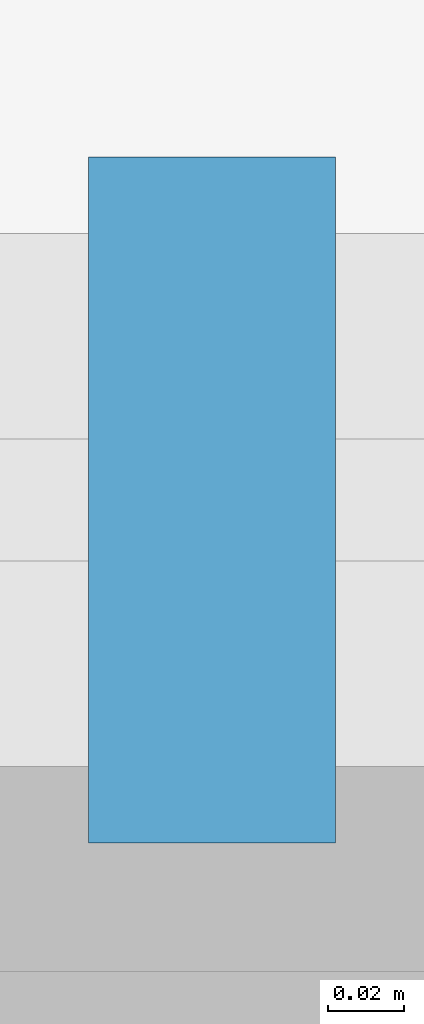
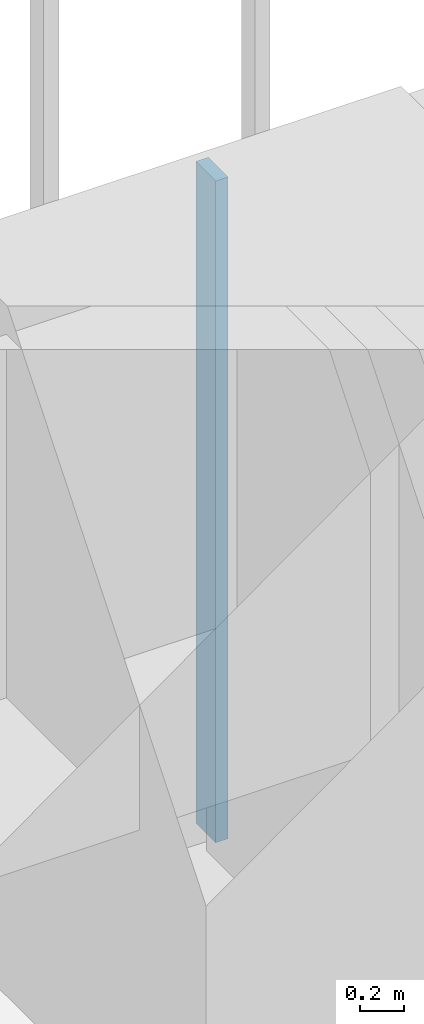
# One storey, part 203 of 238: 1 member, 1 element without a shape of its own.
"""IFC4 building model written with IfcOpenShell, lengths in metres."""

from ifc_helpers import new_model, si_unit, direction, frame, origin, origin_2d, place, context, subcontext, project, spatial, rectangle, extrude, material, material_profile, profile_set, type_object, element, aggregate, save


model = new_model("IFC4")

# Units and contexts
model_context = context("Model", 3, precision=1e-05, world=origin(), true_north=direction((0.0, 1.0)))
body_context = subcontext(model_context, "Body", "Model", "MODEL_VIEW")
ifc_project = project(units=[si_unit("LENGTHUNIT", "METRE"), si_unit("AREAUNIT", "SQUARE_METRE"), si_unit("VOLUMEUNIT", "CUBIC_METRE"), si_unit("PLANEANGLEUNIT", "RADIAN"), si_unit("MASSUNIT", "GRAM", prefix="KILO")], contexts=[model_context])

# Site, building, storey
site_placement = place(None, origin())
site = spatial("IfcSite", under=ifc_project, at=site_placement, CompositionType="ELEMENT")
building_placement = place(site_placement, origin())
building = spatial("IfcBuilding", under=site, at=building_placement, Name="Sandreach Pilgrim Tower", CompositionType="ELEMENT")
storey_placement = place(building_placement, frame((0.0, 0.0, 96.800048828125)))
storey = spatial("IfcBuildingStorey", under=building, at=storey_placement, Name="L23", CompositionType="ELEMENT", Elevation=96.800048828125)

# Curtain wall, member
ifc_material_1 = material(Name="Aluminium framed curtain wall", Category="aluminium")
curtain_wall_type = type_object("IfcCurtainWallType", Name="Hotel tower curtain wall", PredefinedType="NOTDEFINED", material=ifc_material_1)
curtain_wall_placement = place(storey_placement, origin())
curtain_wall = element("IfcCurtainWall", 1, at=curtain_wall_placement, inside=storey, type_object=curtain_wall_type, Name="CW-2 L23 N", PredefinedType="NOTDEFINED")
ifc_material_2 = material(Name="Aluminium extrusion", Category="aluminium")
ifc_material_profile = material_profile(ifc_material_2, rectangle(XDim=0.06494140625, YDim=0.179931640625, at=origin_2d()), Name="CW-2M 65X180")
ifc_profile_set = profile_set([ifc_material_profile], Name="Aluminium extrusion")
member_type = type_object("IfcMemberType", Name="CW-2 mullion", PredefinedType="MULLION", material=ifc_profile_set)
member_placement = place(storey_placement, frame((6.160400390625, 22.493896484375, 0.0), z_axis=(0.0, 0.0, 1.0), x_axis=(1.0, 0.0, 0.0)))
member = element("IfcMember", 2, at=member_placement, type_object=member_type, Name="CW-2 mullion 7", PredefinedType="MULLION", context=body_context, shape_type="SweptSolid", body=[
    extrude(rectangle(XDim=0.06494140625, YDim=0.179931640625, at=origin_2d()), origin(), (0.0, 0.0, 1.0), 3.639892578125),
])
aggregate(curtain_wall, [member])

save(model, "model.ifc")
